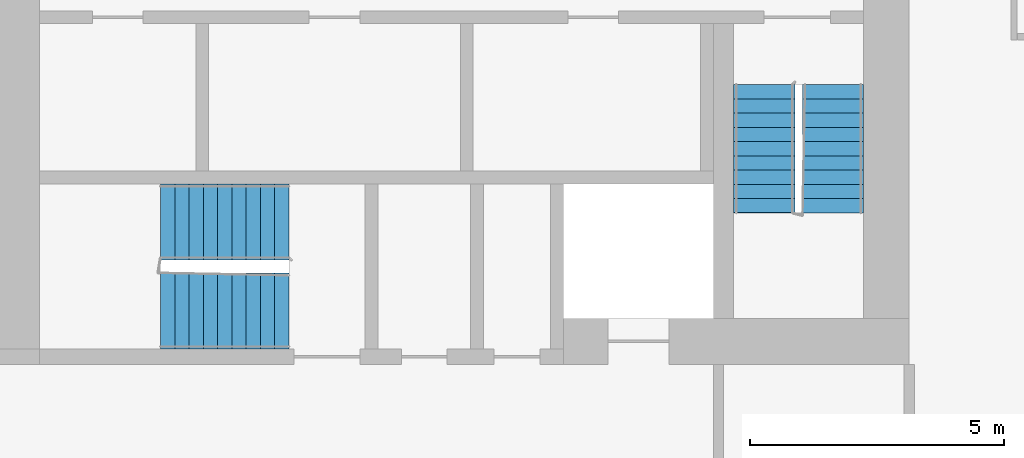
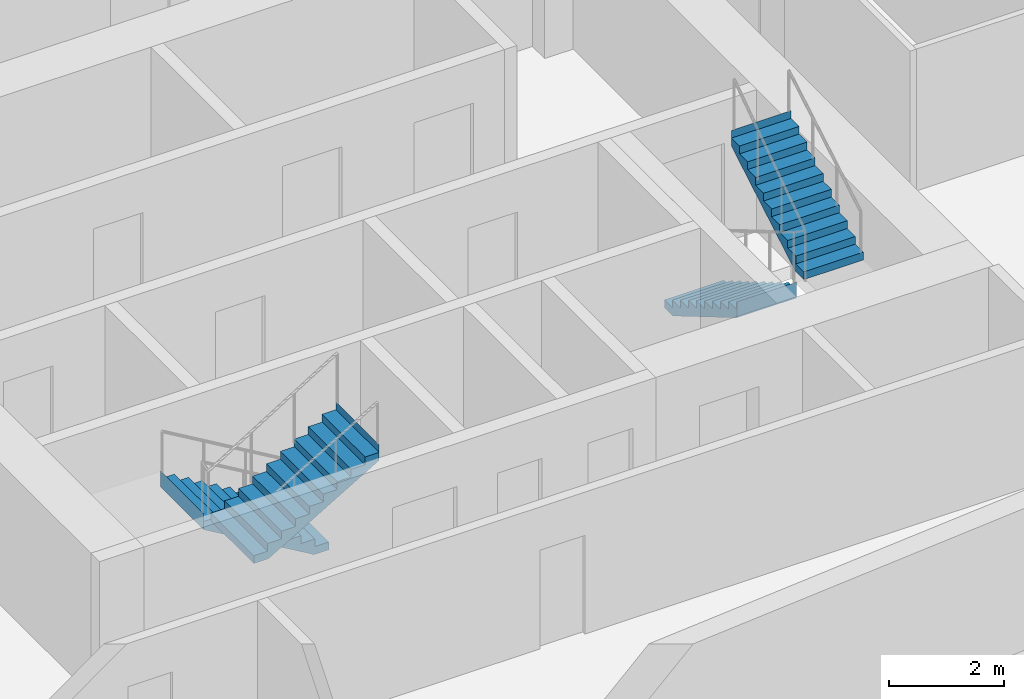
# One storey, part 8 of 11: 4 stair flights, 2 elements without a shape of their own.
"""IFC4 building model written with IfcOpenShell, lengths in metres."""

from ifc_helpers import new_model, si_unit, direction, frame, origin, place, context, subcontext, project, spatial, faceted_brep, material, type_object, element, aggregate, save


model = new_model("IFC4")

# Units and contexts
model_context = context("Model", 3, precision=1e-05, world=origin(), true_north=direction((0.0, 1.0)))
body_context = subcontext(model_context, "Body", "Model", "MODEL_VIEW")
ifc_project = project(units=[si_unit("LENGTHUNIT", "METRE"), si_unit("AREAUNIT", "SQUARE_METRE"), si_unit("VOLUMEUNIT", "CUBIC_METRE"), si_unit("PLANEANGLEUNIT", "RADIAN"), si_unit("MASSUNIT", "GRAM", prefix="KILO")], contexts=[model_context])

# Site, building, storey
site_placement = place(None, origin())
site = spatial("IfcSite", under=ifc_project, at=site_placement, CompositionType="ELEMENT")
building_placement = place(site_placement, origin())
building = spatial("IfcBuilding", under=site, at=building_placement, Name="Kajstack Hotel Tower", CompositionType="ELEMENT")
storey_placement = place(building_placement, frame((0.0, 0.0, 275.10009765625)))
storey = spatial("IfcBuildingStorey", under=building, at=storey_placement, Name="L68", CompositionType="ELEMENT", Elevation=275.10009765625)

# Stair, stair flights
ifc_material = material(Name="Concrete C40/50", Category="concrete")
stair_type_1 = type_object("IfcStairType", Name="Exit stair 1200", PredefinedType="HALF_TURN_STAIR", material=ifc_material)
stair_1_placement = place(storey_placement, origin())
stair_1 = element("IfcStair", 1, at=stair_1_placement, inside=storey, type_object=stair_type_1, Name="L68 stair W2", PredefinedType="HALF_TURN_STAIR")
stair_flight_type_1 = type_object("IfcStairFlightType", Name="Exit stair flight 1200", PredefinedType="STRAIGHT", material=ifc_material)
stair_flight_1_placement = place(storey_placement, frame((-16.35009765625, -10.0, 0.0), z_axis=(0.0, 0.0, 1.0), x_axis=(0.0, -1.0, 0.0)))
stair_flight_1 = element("IfcStairFlight", 2, at=stair_flight_1_placement, type_object=stair_flight_type_1, Name="W2 flight 1", NumberOfRisers=10, NumberOfTreads=9, PredefinedType="STRAIGHT", RiserHeight=0.165, TreadLength=0.28, context=body_context, shape_type="Brep", body=[
    faceted_brep([(0.295654296875, -0.60009765625, 0.0), (2.5205078125, -0.60009765625, 1.31103515625), (2.5205078125, -0.60009765625, 1.64990234375), (2.52001953125, -0.60009765625, 1.64990234375), (2.52001953125, -0.60009765625, 1.485107421875), (2.239990234375, -0.60009765625, 1.485107421875), (2.239990234375, -0.60009765625, 1.320068359375), (1.9599609375, -0.60009765625, 1.320068359375), (1.9599609375, -0.60009765625, 1.155029296875), (1.679931640625, -0.60009765625, 1.155029296875), (1.679931640625, -0.60009765625, 0.989990234375), (1.39990234375, -0.60009765625, 0.989990234375), (1.39990234375, -0.60009765625, 0.824951171875), (1.1201171875, -0.60009765625, 0.824951171875), (1.1201171875, -0.60009765625, 0.659912109375), (0.840087890625, -0.60009765625, 0.659912109375), (0.840087890625, -0.60009765625, 0.4951171875), (0.56005859375, -0.60009765625, 0.4951171875), (0.56005859375, -0.60009765625, 0.330078125), (0.280029296875, -0.60009765625, 0.330078125), (0.280029296875, -0.60009765625, 0.1650390625), (-0.00048828125, -0.60009765625, 0.1650390625), (-0.00048828125, -0.60009765625, 0.0), (-0.00048828125, 0.60009765625, 0.0), (-0.00048828125, 0.60009765625, 0.1650390625), (0.280029296875, 0.60009765625, 0.1650390625), (0.280029296875, 0.60009765625, 0.330078125), (0.56005859375, 0.60009765625, 0.330078125), (0.56005859375, 0.60009765625, 0.4951171875), (0.840087890625, 0.60009765625, 0.4951171875), (0.840087890625, 0.60009765625, 0.659912109375), (1.1201171875, 0.60009765625, 0.659912109375), (1.1201171875, 0.60009765625, 0.824951171875), (1.39990234375, 0.60009765625, 0.824951171875), (1.39990234375, 0.60009765625, 0.989990234375), (1.679931640625, 0.60009765625, 0.989990234375), (1.679931640625, 0.60009765625, 1.155029296875), (1.9599609375, 0.60009765625, 1.155029296875), (1.9599609375, 0.60009765625, 1.320068359375), (2.239990234375, 0.60009765625, 1.320068359375), (2.239990234375, 0.60009765625, 1.485107421875), (2.52001953125, 0.60009765625, 1.485107421875), (2.52001953125, 0.60009765625, 1.64990234375), (2.5205078125, 0.60009765625, 1.64990234375), (2.5205078125, 0.60009765625, 1.31103515625), (0.295654296875, 0.60009765625, 0.0), (-0.00048828125, -0.300048828125, 0.1650390625), (-0.00048828125, 0.0, 0.1650390625), (-0.00048828125, 0.300048828125, 0.1650390625), (-0.00048828125, 0.300048828125, 0.0), (-0.00048828125, 0.0, 0.0), (-0.00048828125, -0.300048828125, 0.0), (0.280029296875, -0.300048828125, 0.1650390625), (0.280029296875, 0.0, 0.1650390625), (0.280029296875, 0.300048828125, 0.1650390625), (0.280029296875, -0.300048828125, 0.330078125), (0.280029296875, 0.0, 0.330078125), (0.280029296875, 0.300048828125, 0.330078125), (0.56005859375, -0.300048828125, 0.330078125), (0.56005859375, 0.0, 0.330078125), (0.56005859375, 0.300048828125, 0.330078125), (0.56005859375, -0.300048828125, 0.4951171875), (0.56005859375, 0.0, 0.4951171875), (0.56005859375, 0.300048828125, 0.4951171875), (0.840087890625, -0.300048828125, 0.4951171875), (0.840087890625, 0.0, 0.4951171875), (0.840087890625, 0.300048828125, 0.4951171875), (0.840087890625, -0.300048828125, 0.659912109375), (0.840087890625, 0.0, 0.659912109375), (0.840087890625, 0.300048828125, 0.659912109375), (1.1201171875, -0.300048828125, 0.659912109375), (1.1201171875, 0.0, 0.659912109375), (1.1201171875, 0.300048828125, 0.659912109375), (1.1201171875, -0.300048828125, 0.824951171875), (1.1201171875, 0.0, 0.824951171875), (1.1201171875, 0.300048828125, 0.824951171875), (1.39990234375, -0.300048828125, 0.824951171875), (1.39990234375, 0.0, 0.824951171875), (1.39990234375, 0.300048828125, 0.824951171875), (1.39990234375, -0.300048828125, 0.989990234375), (1.39990234375, 0.0, 0.989990234375), (1.39990234375, 0.300048828125, 0.989990234375), (1.679931640625, -0.300048828125, 0.989990234375), (1.679931640625, 0.0, 0.989990234375), (1.679931640625, 0.300048828125, 0.989990234375), (1.679931640625, -0.300048828125, 1.155029296875), (1.679931640625, 0.0, 1.155029296875), (1.679931640625, 0.300048828125, 1.155029296875), (1.9599609375, -0.300048828125, 1.155029296875), (1.9599609375, 0.0, 1.155029296875), (1.9599609375, 0.300048828125, 1.155029296875), (1.9599609375, -0.300048828125, 1.320068359375), (1.9599609375, 0.0, 1.320068359375), (1.9599609375, 0.300048828125, 1.320068359375), (2.239990234375, -0.300048828125, 1.320068359375), (2.239990234375, 0.0, 1.320068359375), (2.239990234375, 0.300048828125, 1.320068359375), (2.239990234375, -0.300048828125, 1.485107421875), (2.239990234375, 0.0, 1.485107421875), (2.239990234375, 0.300048828125, 1.485107421875), (2.52001953125, -0.300048828125, 1.485107421875), (2.52001953125, 0.0, 1.485107421875), (2.52001953125, 0.300048828125, 1.485107421875), (2.52001953125, -0.300048828125, 1.64990234375), (2.52001953125, 0.0, 1.64990234375), (2.52001953125, 0.300048828125, 1.64990234375), (2.5205078125, -0.300048828125, 1.64990234375), (2.5205078125, 0.0, 1.64990234375), (2.5205078125, 0.300048828125, 1.64990234375), (2.5205078125, -0.300048828125, 1.31103515625), (2.5205078125, 0.0, 1.31103515625), (2.5205078125, 0.300048828125, 1.31103515625), (0.295654296875, -0.300048828125, 0.0), (0.295654296875, 0.0, 0.0), (0.295654296875, 0.300048828125, 0.0)], [[[0, 1, 2, 3, 4, 5, 6, 7, 8, 9, 10, 11, 12, 13, 14, 15, 16, 17, 18, 19, 20, 21, 22]], [[23, 24, 25, 26, 27, 28, 29, 30, 31, 32, 33, 34, 35, 36, 37, 38, 39, 40, 41, 42, 43, 44, 45]], [[21, 46, 47, 48, 24, 23, 49, 50, 51, 22]], [[20, 52, 53, 54, 25, 24, 48, 47, 46, 21]], [[19, 55, 56, 57, 26, 25, 54, 53, 52, 20]], [[18, 58, 59, 60, 27, 26, 57, 56, 55, 19]], [[17, 61, 62, 63, 28, 27, 60, 59, 58, 18]], [[16, 64, 65, 66, 29, 28, 63, 62, 61, 17]], [[15, 67, 68, 69, 30, 29, 66, 65, 64, 16]], [[14, 70, 71, 72, 31, 30, 69, 68, 67, 15]], [[13, 73, 74, 75, 32, 31, 72, 71, 70, 14]], [[12, 76, 77, 78, 33, 32, 75, 74, 73, 13]], [[11, 79, 80, 81, 34, 33, 78, 77, 76, 12]], [[10, 82, 83, 84, 35, 34, 81, 80, 79, 11]], [[9, 85, 86, 87, 36, 35, 84, 83, 82, 10]], [[8, 88, 89, 90, 37, 36, 87, 86, 85, 9]], [[7, 91, 92, 93, 38, 37, 90, 89, 88, 8]], [[6, 94, 95, 96, 39, 38, 93, 92, 91, 7]], [[5, 97, 98, 99, 40, 39, 96, 95, 94, 6]], [[4, 100, 101, 102, 41, 40, 99, 98, 97, 5]], [[3, 103, 104, 105, 42, 41, 102, 101, 100, 4]], [[2, 106, 107, 108, 43, 42, 105, 104, 103, 3]], [[1, 109, 110, 111, 44, 43, 108, 107, 106, 2]], [[0, 112, 113, 114, 45, 44, 111, 110, 109, 1]], [[22, 51, 50, 49, 23, 45, 114, 113, 112, 0]]]),
])
stair_flight_2_placement = place(storey_placement, frame((-15.0, -12.52001953125, 1.64990234375), z_axis=(0.0, 0.0, 1.0), x_axis=(0.0, 1.0, 0.0)))
stair_flight_2 = element("IfcStairFlight", 3, at=stair_flight_2_placement, type_object=stair_flight_type_1, Name="W2 flight 2", NumberOfRisers=10, NumberOfTreads=9, PredefinedType="STRAIGHT", RiserHeight=0.165, TreadLength=0.28, context=body_context, shape_type="Brep", body=[
    faceted_brep([(0.295654296875, -0.60009765625, 0.0), (2.5205078125, -0.60009765625, 1.31103515625), (2.5205078125, -0.60009765625, 1.64990234375), (2.52001953125, -0.60009765625, 1.64990234375), (2.52001953125, -0.60009765625, 1.485107421875), (2.239990234375, -0.60009765625, 1.485107421875), (2.239990234375, -0.60009765625, 1.320068359375), (1.9599609375, -0.60009765625, 1.320068359375), (1.9599609375, -0.60009765625, 1.155029296875), (1.679931640625, -0.60009765625, 1.155029296875), (1.679931640625, -0.60009765625, 0.989990234375), (1.39990234375, -0.60009765625, 0.989990234375), (1.39990234375, -0.60009765625, 0.824951171875), (1.1201171875, -0.60009765625, 0.824951171875), (1.1201171875, -0.60009765625, 0.659912109375), (0.840087890625, -0.60009765625, 0.659912109375), (0.840087890625, -0.60009765625, 0.4951171875), (0.56005859375, -0.60009765625, 0.4951171875), (0.56005859375, -0.60009765625, 0.330078125), (0.280029296875, -0.60009765625, 0.330078125), (0.280029296875, -0.60009765625, 0.1650390625), (-0.00048828125, -0.60009765625, 0.1650390625), (-0.00048828125, -0.60009765625, 0.0), (-0.00048828125, 0.60009765625, 0.0), (-0.00048828125, 0.60009765625, 0.1650390625), (0.280029296875, 0.60009765625, 0.1650390625), (0.280029296875, 0.60009765625, 0.330078125), (0.56005859375, 0.60009765625, 0.330078125), (0.56005859375, 0.60009765625, 0.4951171875), (0.840087890625, 0.60009765625, 0.4951171875), (0.840087890625, 0.60009765625, 0.659912109375), (1.1201171875, 0.60009765625, 0.659912109375), (1.1201171875, 0.60009765625, 0.824951171875), (1.39990234375, 0.60009765625, 0.824951171875), (1.39990234375, 0.60009765625, 0.989990234375), (1.679931640625, 0.60009765625, 0.989990234375), (1.679931640625, 0.60009765625, 1.155029296875), (1.9599609375, 0.60009765625, 1.155029296875), (1.9599609375, 0.60009765625, 1.320068359375), (2.239990234375, 0.60009765625, 1.320068359375), (2.239990234375, 0.60009765625, 1.485107421875), (2.52001953125, 0.60009765625, 1.485107421875), (2.52001953125, 0.60009765625, 1.64990234375), (2.5205078125, 0.60009765625, 1.64990234375), (2.5205078125, 0.60009765625, 1.31103515625), (0.295654296875, 0.60009765625, 0.0), (-0.00048828125, -0.300048828125, 0.1650390625), (-0.00048828125, 0.0, 0.1650390625), (-0.00048828125, 0.300048828125, 0.1650390625), (-0.00048828125, 0.300048828125, 0.0), (-0.00048828125, 0.0, 0.0), (-0.00048828125, -0.300048828125, 0.0), (0.280029296875, -0.300048828125, 0.1650390625), (0.280029296875, 0.0, 0.1650390625), (0.280029296875, 0.300048828125, 0.1650390625), (0.280029296875, -0.300048828125, 0.330078125), (0.280029296875, 0.0, 0.330078125), (0.280029296875, 0.300048828125, 0.330078125), (0.56005859375, -0.300048828125, 0.330078125), (0.56005859375, 0.0, 0.330078125), (0.56005859375, 0.300048828125, 0.330078125), (0.56005859375, -0.300048828125, 0.4951171875), (0.56005859375, 0.0, 0.4951171875), (0.56005859375, 0.300048828125, 0.4951171875), (0.840087890625, -0.300048828125, 0.4951171875), (0.840087890625, 0.0, 0.4951171875), (0.840087890625, 0.300048828125, 0.4951171875), (0.840087890625, -0.300048828125, 0.659912109375), (0.840087890625, 0.0, 0.659912109375), (0.840087890625, 0.300048828125, 0.659912109375), (1.1201171875, -0.300048828125, 0.659912109375), (1.1201171875, 0.0, 0.659912109375), (1.1201171875, 0.300048828125, 0.659912109375), (1.1201171875, -0.300048828125, 0.824951171875), (1.1201171875, 0.0, 0.824951171875), (1.1201171875, 0.300048828125, 0.824951171875), (1.39990234375, -0.300048828125, 0.824951171875), (1.39990234375, 0.0, 0.824951171875), (1.39990234375, 0.300048828125, 0.824951171875), (1.39990234375, -0.300048828125, 0.989990234375), (1.39990234375, 0.0, 0.989990234375), (1.39990234375, 0.300048828125, 0.989990234375), (1.679931640625, -0.300048828125, 0.989990234375), (1.679931640625, 0.0, 0.989990234375), (1.679931640625, 0.300048828125, 0.989990234375), (1.679931640625, -0.300048828125, 1.155029296875), (1.679931640625, 0.0, 1.155029296875), (1.679931640625, 0.300048828125, 1.155029296875), (1.9599609375, -0.300048828125, 1.155029296875), (1.9599609375, 0.0, 1.155029296875), (1.9599609375, 0.300048828125, 1.155029296875), (1.9599609375, -0.300048828125, 1.320068359375), (1.9599609375, 0.0, 1.320068359375), (1.9599609375, 0.300048828125, 1.320068359375), (2.239990234375, -0.300048828125, 1.320068359375), (2.239990234375, 0.0, 1.320068359375), (2.239990234375, 0.300048828125, 1.320068359375), (2.239990234375, -0.300048828125, 1.485107421875), (2.239990234375, 0.0, 1.485107421875), (2.239990234375, 0.300048828125, 1.485107421875), (2.52001953125, -0.300048828125, 1.485107421875), (2.52001953125, 0.0, 1.485107421875), (2.52001953125, 0.300048828125, 1.485107421875), (2.52001953125, -0.300048828125, 1.64990234375), (2.52001953125, 0.0, 1.64990234375), (2.52001953125, 0.300048828125, 1.64990234375), (2.5205078125, -0.300048828125, 1.64990234375), (2.5205078125, 0.0, 1.64990234375), (2.5205078125, 0.300048828125, 1.64990234375), (2.5205078125, -0.300048828125, 1.31103515625), (2.5205078125, 0.0, 1.31103515625), (2.5205078125, 0.300048828125, 1.31103515625), (0.295654296875, -0.300048828125, 0.0), (0.295654296875, 0.0, 0.0), (0.295654296875, 0.300048828125, 0.0)], [[[0, 1, 2, 3, 4, 5, 6, 7, 8, 9, 10, 11, 12, 13, 14, 15, 16, 17, 18, 19, 20, 21, 22]], [[23, 24, 25, 26, 27, 28, 29, 30, 31, 32, 33, 34, 35, 36, 37, 38, 39, 40, 41, 42, 43, 44, 45]], [[21, 46, 47, 48, 24, 23, 49, 50, 51, 22]], [[20, 52, 53, 54, 25, 24, 48, 47, 46, 21]], [[19, 55, 56, 57, 26, 25, 54, 53, 52, 20]], [[18, 58, 59, 60, 27, 26, 57, 56, 55, 19]], [[17, 61, 62, 63, 28, 27, 60, 59, 58, 18]], [[16, 64, 65, 66, 29, 28, 63, 62, 61, 17]], [[15, 67, 68, 69, 30, 29, 66, 65, 64, 16]], [[14, 70, 71, 72, 31, 30, 69, 68, 67, 15]], [[13, 73, 74, 75, 32, 31, 72, 71, 70, 14]], [[12, 76, 77, 78, 33, 32, 75, 74, 73, 13]], [[11, 79, 80, 81, 34, 33, 78, 77, 76, 12]], [[10, 82, 83, 84, 35, 34, 81, 80, 79, 11]], [[9, 85, 86, 87, 36, 35, 84, 83, 82, 10]], [[8, 88, 89, 90, 37, 36, 87, 86, 85, 9]], [[7, 91, 92, 93, 38, 37, 90, 89, 88, 8]], [[6, 94, 95, 96, 39, 38, 93, 92, 91, 7]], [[5, 97, 98, 99, 40, 39, 96, 95, 94, 6]], [[4, 100, 101, 102, 41, 40, 99, 98, 97, 5]], [[3, 103, 104, 105, 42, 41, 102, 101, 100, 4]], [[2, 106, 107, 108, 43, 42, 105, 104, 103, 3]], [[1, 109, 110, 111, 44, 43, 108, 107, 106, 2]], [[0, 112, 113, 114, 45, 44, 111, 110, 109, 1]], [[22, 51, 50, 49, 23, 45, 114, 113, 112, 0]]]),
])
aggregate(stair_1, [stair_flight_1, stair_flight_2])

stair_type_2 = type_object("IfcStairType", Name="Exit stair 1500", PredefinedType="HALF_TURN_STAIR", material=ifc_material)
stair_2_placement = place(storey_placement, origin())
stair_2 = element("IfcStair", 4, at=stair_2_placement, inside=storey, type_object=stair_type_2, Name="L68 stair W3", PredefinedType="HALF_TURN_STAIR")
stair_flight_type_2 = type_object("IfcStairFlightType", Name="Exit stair flight 1500", PredefinedType="STRAIGHT", material=ifc_material)
stair_flight_3_placement = place(storey_placement, frame((-25.699951171875, -12.699951171875, 0.0), z_axis=(0.0, 0.0, 1.0), x_axis=(-1.0, 0.0, 0.0)))
stair_flight_3 = element("IfcStairFlight", 5, at=stair_flight_3_placement, type_object=stair_flight_type_2, Name="W3 flight 1", NumberOfRisers=10, NumberOfTreads=9, PredefinedType="STRAIGHT", RiserHeight=0.165, TreadLength=0.28, context=body_context, shape_type="Brep", body=[
    faceted_brep([(0.295654296875, -0.75, 0.0), (2.5205078125, -0.75, 1.31103515625), (2.5205078125, -0.75, 1.64990234375), (2.52001953125, -0.75, 1.64990234375), (2.52001953125, -0.75, 1.485107421875), (2.239990234375, -0.75, 1.485107421875), (2.239990234375, -0.75, 1.320068359375), (1.9599609375, -0.75, 1.320068359375), (1.9599609375, -0.75, 1.155029296875), (1.679931640625, -0.75, 1.155029296875), (1.679931640625, -0.75, 0.989990234375), (1.39990234375, -0.75, 0.989990234375), (1.39990234375, -0.75, 0.824951171875), (1.1201171875, -0.75, 0.824951171875), (1.1201171875, -0.75, 0.659912109375), (0.840087890625, -0.75, 0.659912109375), (0.840087890625, -0.75, 0.4951171875), (0.56005859375, -0.75, 0.4951171875), (0.56005859375, -0.75, 0.330078125), (0.280029296875, -0.75, 0.330078125), (0.280029296875, -0.75, 0.1650390625), (-0.00048828125, -0.75, 0.1650390625), (-0.00048828125, -0.75, 0.0), (-0.00048828125, 0.75, 0.0), (-0.00048828125, 0.75, 0.1650390625), (0.280029296875, 0.75, 0.1650390625), (0.280029296875, 0.75, 0.330078125), (0.56005859375, 0.75, 0.330078125), (0.56005859375, 0.75, 0.4951171875), (0.840087890625, 0.75, 0.4951171875), (0.840087890625, 0.75, 0.659912109375), (1.1201171875, 0.75, 0.659912109375), (1.1201171875, 0.75, 0.824951171875), (1.39990234375, 0.75, 0.824951171875), (1.39990234375, 0.75, 0.989990234375), (1.679931640625, 0.75, 0.989990234375), (1.679931640625, 0.75, 1.155029296875), (1.9599609375, 0.75, 1.155029296875), (1.9599609375, 0.75, 1.320068359375), (2.239990234375, 0.75, 1.320068359375), (2.239990234375, 0.75, 1.485107421875), (2.52001953125, 0.75, 1.485107421875), (2.52001953125, 0.75, 1.64990234375), (2.5205078125, 0.75, 1.64990234375), (2.5205078125, 0.75, 1.31103515625), (0.295654296875, 0.75, 0.0), (-0.00048828125, -0.375, 0.1650390625), (-0.00048828125, 0.0, 0.1650390625), (-0.00048828125, 0.375, 0.1650390625), (-0.00048828125, 0.375, 0.0), (-0.00048828125, 0.0, 0.0), (-0.00048828125, -0.375, 0.0), (0.280029296875, -0.375, 0.1650390625), (0.280029296875, 0.0, 0.1650390625), (0.280029296875, 0.375, 0.1650390625), (0.280029296875, -0.375, 0.330078125), (0.280029296875, 0.0, 0.330078125), (0.280029296875, 0.375, 0.330078125), (0.56005859375, -0.375, 0.330078125), (0.56005859375, 0.0, 0.330078125), (0.56005859375, 0.375, 0.330078125), (0.56005859375, -0.375, 0.4951171875), (0.56005859375, 0.0, 0.4951171875), (0.56005859375, 0.375, 0.4951171875), (0.840087890625, -0.375, 0.4951171875), (0.840087890625, 0.0, 0.4951171875), (0.840087890625, 0.375, 0.4951171875), (0.840087890625, -0.375, 0.659912109375), (0.840087890625, 0.0, 0.659912109375), (0.840087890625, 0.375, 0.659912109375), (1.1201171875, -0.375, 0.659912109375), (1.1201171875, 0.0, 0.659912109375), (1.1201171875, 0.375, 0.659912109375), (1.1201171875, -0.375, 0.824951171875), (1.1201171875, 0.0, 0.824951171875), (1.1201171875, 0.375, 0.824951171875), (1.39990234375, -0.375, 0.824951171875), (1.39990234375, 0.0, 0.824951171875), (1.39990234375, 0.375, 0.824951171875), (1.39990234375, -0.375, 0.989990234375), (1.39990234375, 0.0, 0.989990234375), (1.39990234375, 0.375, 0.989990234375), (1.679931640625, -0.375, 0.989990234375), (1.679931640625, 0.0, 0.989990234375), (1.679931640625, 0.375, 0.989990234375), (1.679931640625, -0.375, 1.155029296875), (1.679931640625, 0.0, 1.155029296875), (1.679931640625, 0.375, 1.155029296875), (1.9599609375, -0.375, 1.155029296875), (1.9599609375, 0.0, 1.155029296875), (1.9599609375, 0.375, 1.155029296875), (1.9599609375, -0.375, 1.320068359375), (1.9599609375, 0.0, 1.320068359375), (1.9599609375, 0.375, 1.320068359375), (2.239990234375, -0.375, 1.320068359375), (2.239990234375, 0.0, 1.320068359375), (2.239990234375, 0.375, 1.320068359375), (2.239990234375, -0.375, 1.485107421875), (2.239990234375, 0.0, 1.485107421875), (2.239990234375, 0.375, 1.485107421875), (2.52001953125, -0.375, 1.485107421875), (2.52001953125, 0.0, 1.485107421875), (2.52001953125, 0.375, 1.485107421875), (2.52001953125, -0.375, 1.64990234375), (2.52001953125, 0.0, 1.64990234375), (2.52001953125, 0.375, 1.64990234375), (2.5205078125, -0.375, 1.64990234375), (2.5205078125, 0.0, 1.64990234375), (2.5205078125, 0.375, 1.64990234375), (2.5205078125, -0.375, 1.31103515625), (2.5205078125, 0.0, 1.31103515625), (2.5205078125, 0.375, 1.31103515625), (0.295654296875, -0.375, 0.0), (0.295654296875, 0.0, 0.0), (0.295654296875, 0.375, 0.0)], [[[0, 1, 2, 3, 4, 5, 6, 7, 8, 9, 10, 11, 12, 13, 14, 15, 16, 17, 18, 19, 20, 21, 22]], [[23, 24, 25, 26, 27, 28, 29, 30, 31, 32, 33, 34, 35, 36, 37, 38, 39, 40, 41, 42, 43, 44, 45]], [[21, 46, 47, 48, 24, 23, 49, 50, 51, 22]], [[20, 52, 53, 54, 25, 24, 48, 47, 46, 21]], [[19, 55, 56, 57, 26, 25, 54, 53, 52, 20]], [[18, 58, 59, 60, 27, 26, 57, 56, 55, 19]], [[17, 61, 62, 63, 28, 27, 60, 59, 58, 18]], [[16, 64, 65, 66, 29, 28, 63, 62, 61, 17]], [[15, 67, 68, 69, 30, 29, 66, 65, 64, 16]], [[14, 70, 71, 72, 31, 30, 69, 68, 67, 15]], [[13, 73, 74, 75, 32, 31, 72, 71, 70, 14]], [[12, 76, 77, 78, 33, 32, 75, 74, 73, 13]], [[11, 79, 80, 81, 34, 33, 78, 77, 76, 12]], [[10, 82, 83, 84, 35, 34, 81, 80, 79, 11]], [[9, 85, 86, 87, 36, 35, 84, 83, 82, 10]], [[8, 88, 89, 90, 37, 36, 87, 86, 85, 9]], [[7, 91, 92, 93, 38, 37, 90, 89, 88, 8]], [[6, 94, 95, 96, 39, 38, 93, 92, 91, 7]], [[5, 97, 98, 99, 40, 39, 96, 95, 94, 6]], [[4, 100, 101, 102, 41, 40, 99, 98, 97, 5]], [[3, 103, 104, 105, 42, 41, 102, 101, 100, 4]], [[2, 106, 107, 108, 43, 42, 105, 104, 103, 3]], [[1, 109, 110, 111, 44, 43, 108, 107, 106, 2]], [[0, 112, 113, 114, 45, 44, 111, 110, 109, 1]], [[22, 51, 50, 49, 23, 45, 114, 113, 112, 0]]]),
])
stair_flight_4_placement = place(storey_placement, frame((-28.219970703125, -14.449951171875, 1.64990234375), z_axis=(0.0, 0.0, 1.0), x_axis=(1.0, 0.0, 0.0)))
stair_flight_4 = element("IfcStairFlight", 6, at=stair_flight_4_placement, type_object=stair_flight_type_2, Name="W3 flight 2", NumberOfRisers=10, NumberOfTreads=9, PredefinedType="STRAIGHT", RiserHeight=0.165, TreadLength=0.28, context=body_context, shape_type="Brep", body=[
    faceted_brep([(0.295654296875, -0.75, 0.0), (2.5205078125, -0.75, 1.31103515625), (2.5205078125, -0.75, 1.64990234375), (2.52001953125, -0.75, 1.64990234375), (2.52001953125, -0.75, 1.485107421875), (2.239990234375, -0.75, 1.485107421875), (2.239990234375, -0.75, 1.320068359375), (1.9599609375, -0.75, 1.320068359375), (1.9599609375, -0.75, 1.155029296875), (1.679931640625, -0.75, 1.155029296875), (1.679931640625, -0.75, 0.989990234375), (1.39990234375, -0.75, 0.989990234375), (1.39990234375, -0.75, 0.824951171875), (1.1201171875, -0.75, 0.824951171875), (1.1201171875, -0.75, 0.659912109375), (0.840087890625, -0.75, 0.659912109375), (0.840087890625, -0.75, 0.4951171875), (0.56005859375, -0.75, 0.4951171875), (0.56005859375, -0.75, 0.330078125), (0.280029296875, -0.75, 0.330078125), (0.280029296875, -0.75, 0.1650390625), (-0.00048828125, -0.75, 0.1650390625), (-0.00048828125, -0.75, 0.0), (-0.00048828125, 0.75, 0.0), (-0.00048828125, 0.75, 0.1650390625), (0.280029296875, 0.75, 0.1650390625), (0.280029296875, 0.75, 0.330078125), (0.56005859375, 0.75, 0.330078125), (0.56005859375, 0.75, 0.4951171875), (0.840087890625, 0.75, 0.4951171875), (0.840087890625, 0.75, 0.659912109375), (1.1201171875, 0.75, 0.659912109375), (1.1201171875, 0.75, 0.824951171875), (1.39990234375, 0.75, 0.824951171875), (1.39990234375, 0.75, 0.989990234375), (1.679931640625, 0.75, 0.989990234375), (1.679931640625, 0.75, 1.155029296875), (1.9599609375, 0.75, 1.155029296875), (1.9599609375, 0.75, 1.320068359375), (2.239990234375, 0.75, 1.320068359375), (2.239990234375, 0.75, 1.485107421875), (2.52001953125, 0.75, 1.485107421875), (2.52001953125, 0.75, 1.64990234375), (2.5205078125, 0.75, 1.64990234375), (2.5205078125, 0.75, 1.31103515625), (0.295654296875, 0.75, 0.0), (-0.00048828125, -0.375, 0.1650390625), (-0.00048828125, 0.0, 0.1650390625), (-0.00048828125, 0.375, 0.1650390625), (-0.00048828125, 0.375, 0.0), (-0.00048828125, 0.0, 0.0), (-0.00048828125, -0.375, 0.0), (0.280029296875, -0.375, 0.1650390625), (0.280029296875, 0.0, 0.1650390625), (0.280029296875, 0.375, 0.1650390625), (0.280029296875, -0.375, 0.330078125), (0.280029296875, 0.0, 0.330078125), (0.280029296875, 0.375, 0.330078125), (0.56005859375, -0.375, 0.330078125), (0.56005859375, 0.0, 0.330078125), (0.56005859375, 0.375, 0.330078125), (0.56005859375, -0.375, 0.4951171875), (0.56005859375, 0.0, 0.4951171875), (0.56005859375, 0.375, 0.4951171875), (0.840087890625, -0.375, 0.4951171875), (0.840087890625, 0.0, 0.4951171875), (0.840087890625, 0.375, 0.4951171875), (0.840087890625, -0.375, 0.659912109375), (0.840087890625, 0.0, 0.659912109375), (0.840087890625, 0.375, 0.659912109375), (1.1201171875, -0.375, 0.659912109375), (1.1201171875, 0.0, 0.659912109375), (1.1201171875, 0.375, 0.659912109375), (1.1201171875, -0.375, 0.824951171875), (1.1201171875, 0.0, 0.824951171875), (1.1201171875, 0.375, 0.824951171875), (1.39990234375, -0.375, 0.824951171875), (1.39990234375, 0.0, 0.824951171875), (1.39990234375, 0.375, 0.824951171875), (1.39990234375, -0.375, 0.989990234375), (1.39990234375, 0.0, 0.989990234375), (1.39990234375, 0.375, 0.989990234375), (1.679931640625, -0.375, 0.989990234375), (1.679931640625, 0.0, 0.989990234375), (1.679931640625, 0.375, 0.989990234375), (1.679931640625, -0.375, 1.155029296875), (1.679931640625, 0.0, 1.155029296875), (1.679931640625, 0.375, 1.155029296875), (1.9599609375, -0.375, 1.155029296875), (1.9599609375, 0.0, 1.155029296875), (1.9599609375, 0.375, 1.155029296875), (1.9599609375, -0.375, 1.320068359375), (1.9599609375, 0.0, 1.320068359375), (1.9599609375, 0.375, 1.320068359375), (2.239990234375, -0.375, 1.320068359375), (2.239990234375, 0.0, 1.320068359375), (2.239990234375, 0.375, 1.320068359375), (2.239990234375, -0.375, 1.485107421875), (2.239990234375, 0.0, 1.485107421875), (2.239990234375, 0.375, 1.485107421875), (2.52001953125, -0.375, 1.485107421875), (2.52001953125, 0.0, 1.485107421875), (2.52001953125, 0.375, 1.485107421875), (2.52001953125, -0.375, 1.64990234375), (2.52001953125, 0.0, 1.64990234375), (2.52001953125, 0.375, 1.64990234375), (2.5205078125, -0.375, 1.64990234375), (2.5205078125, 0.0, 1.64990234375), (2.5205078125, 0.375, 1.64990234375), (2.5205078125, -0.375, 1.31103515625), (2.5205078125, 0.0, 1.31103515625), (2.5205078125, 0.375, 1.31103515625), (0.295654296875, -0.375, 0.0), (0.295654296875, 0.0, 0.0), (0.295654296875, 0.375, 0.0)], [[[0, 1, 2, 3, 4, 5, 6, 7, 8, 9, 10, 11, 12, 13, 14, 15, 16, 17, 18, 19, 20, 21, 22]], [[23, 24, 25, 26, 27, 28, 29, 30, 31, 32, 33, 34, 35, 36, 37, 38, 39, 40, 41, 42, 43, 44, 45]], [[21, 46, 47, 48, 24, 23, 49, 50, 51, 22]], [[20, 52, 53, 54, 25, 24, 48, 47, 46, 21]], [[19, 55, 56, 57, 26, 25, 54, 53, 52, 20]], [[18, 58, 59, 60, 27, 26, 57, 56, 55, 19]], [[17, 61, 62, 63, 28, 27, 60, 59, 58, 18]], [[16, 64, 65, 66, 29, 28, 63, 62, 61, 17]], [[15, 67, 68, 69, 30, 29, 66, 65, 64, 16]], [[14, 70, 71, 72, 31, 30, 69, 68, 67, 15]], [[13, 73, 74, 75, 32, 31, 72, 71, 70, 14]], [[12, 76, 77, 78, 33, 32, 75, 74, 73, 13]], [[11, 79, 80, 81, 34, 33, 78, 77, 76, 12]], [[10, 82, 83, 84, 35, 34, 81, 80, 79, 11]], [[9, 85, 86, 87, 36, 35, 84, 83, 82, 10]], [[8, 88, 89, 90, 37, 36, 87, 86, 85, 9]], [[7, 91, 92, 93, 38, 37, 90, 89, 88, 8]], [[6, 94, 95, 96, 39, 38, 93, 92, 91, 7]], [[5, 97, 98, 99, 40, 39, 96, 95, 94, 6]], [[4, 100, 101, 102, 41, 40, 99, 98, 97, 5]], [[3, 103, 104, 105, 42, 41, 102, 101, 100, 4]], [[2, 106, 107, 108, 43, 42, 105, 104, 103, 3]], [[1, 109, 110, 111, 44, 43, 108, 107, 106, 2]], [[0, 112, 113, 114, 45, 44, 111, 110, 109, 1]], [[22, 51, 50, 49, 23, 45, 114, 113, 112, 0]]]),
])
aggregate(stair_2, [stair_flight_3, stair_flight_4])

save(model, "model.ifc")
